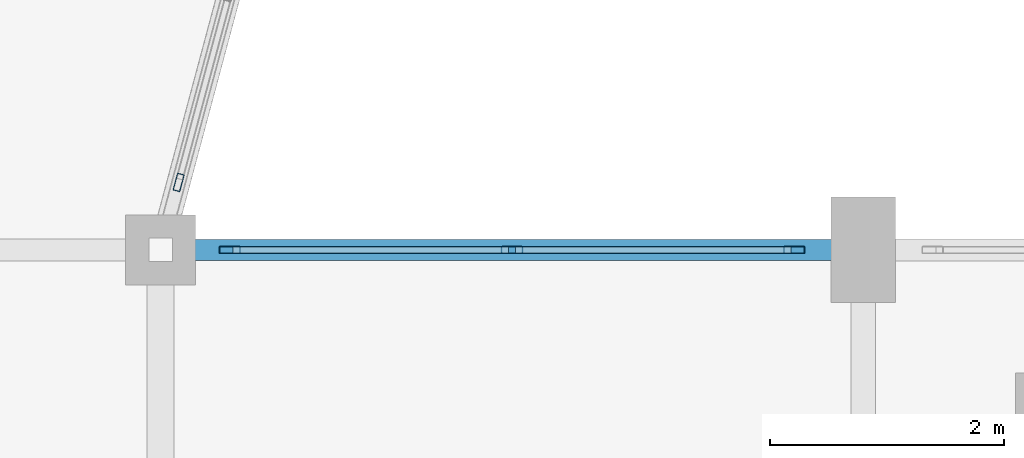
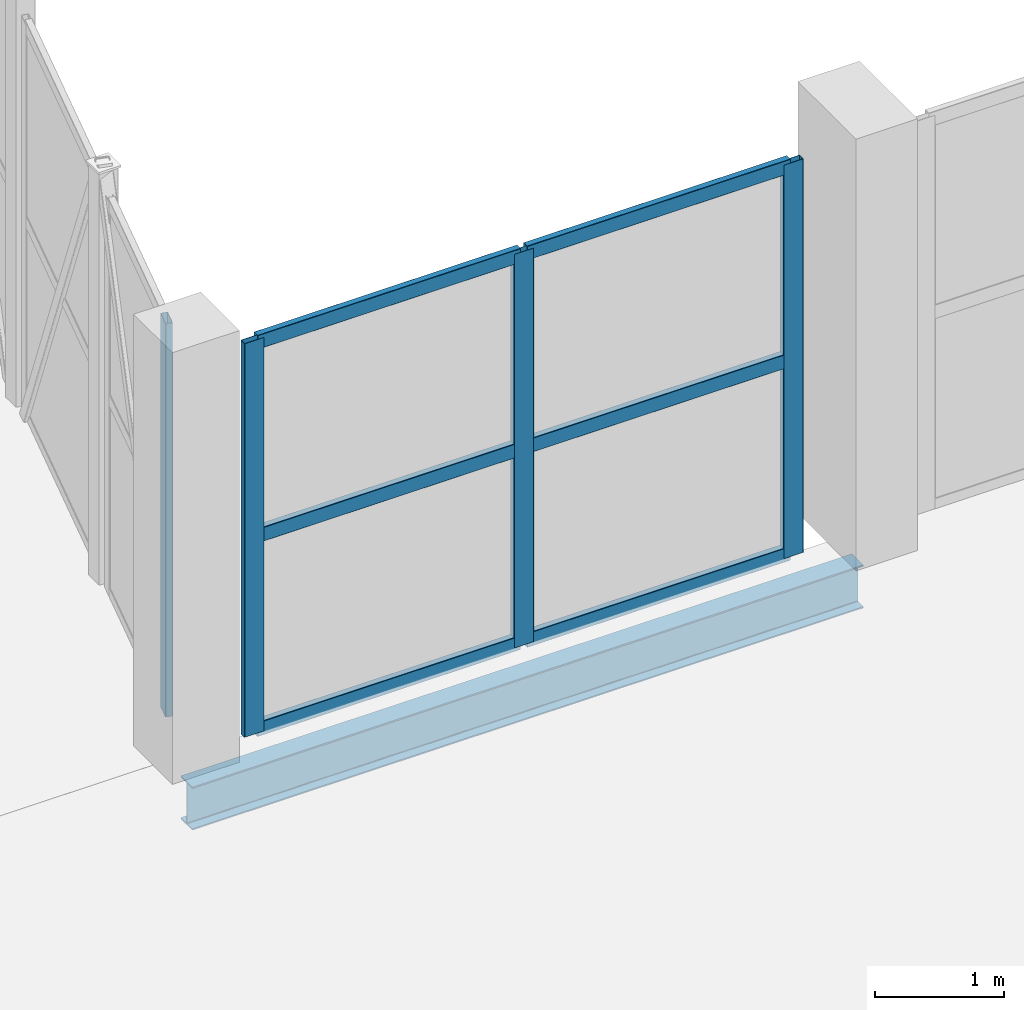
# One storey, part 77 of 127: 10 members, 1 beam, 2 elements without a shape of their own.
"""IFC4 building model written with IfcOpenShell, lengths in metres."""

import ifcopenshell
import ifcopenshell.guid

model = None  # the IFC model being written
_history = None  # IfcOwnerHistory: only IFC2X3 demands one
_inside = {}  # id of a spatial element -> (the spatial element, [elements in it])
_under = {}  # id of a project, library or spatial element -> (it, [spatial elements below it])
_declared = {}  # id of a project -> (the project, [libraries it declares])
_typed = {}  # id of a type object -> (the type object, [elements of that type])
_made_of = {}  # id of a material, layer set ... -> (it, [elements and type objects made of it])


def new_model(schema):
    """Start an empty IFC model of exactly this schema.

    Asked for "IFC4X3", IfcOpenShell would pick the latest addendum, in which some entities
    have other attributes; the version numbers below select the first issue.
    IFC2X3 requires an IfcOwnerHistory on every rooted entity: one is made here for all.
    """
    global model, _history
    if schema == "IFC4X3":
        model = ifcopenshell.file(schema_version=(4, 3, 0, 0))
    else:
        model = ifcopenshell.file(schema=schema)
    _inside.clear()
    _under.clear()
    _declared.clear()
    _typed.clear()
    _made_of.clear()
    _history = None
    if model.schema == "IFC2X3":
        org = make("IfcOrganization", Name="unknown")
        user = make(
            "IfcPersonAndOrganization",
            ThePerson=make("IfcPerson", FamilyName="unknown"),
            TheOrganization=org,
        )
        app = make(
            "IfcApplication",
            ApplicationDeveloper=org,
            Version="unknown",
            ApplicationFullName="unknown",
            ApplicationIdentifier="unknown",
        )
        _history = make(
            "IfcOwnerHistory",
            OwningUser=user,
            OwningApplication=app,
            ChangeAction="ADDED",
            CreationDate=0,
        )
    return model


def make(cls, **values):
    """One entity of the class cls with the attributes given. An attribute that is None is left unset."""
    return model.create_entity(
        cls, **{name: value for name, value in values.items() if value is not None}
    )


def rooted(cls, **values):
    """An entity with a GlobalId (a new one), such as an element, a storey or a relation."""
    return make(cls, GlobalId=ifcopenshell.guid.new(), OwnerHistory=_history, **values)


def si_unit(unit_type, name, prefix=None):
    """IfcSIUnit, for example si_unit("LENGTHUNIT", "METRE", prefix="MILLI")."""
    return make("IfcSIUnit", UnitType=unit_type, Prefix=prefix, Name=name)


def assignment(units):
    """IfcUnitAssignment: the units of a project."""
    return None if units is None else make("IfcUnitAssignment", Units=units)


def point(xyz):
    """IfcCartesianPoint."""
    return None if xyz is None else make("IfcCartesianPoint", Coordinates=xyz)


def direction(xyz):
    """IfcDirection."""
    return None if xyz is None else make("IfcDirection", DirectionRatios=xyz)


def frame(location, z_axis=None, x_axis=None):
    """IfcAxis2Placement3D, a coordinate frame: its origin and axes. An axis left out is left unset."""
    return make(
        "IfcAxis2Placement3D",
        Location=point(location),
        Axis=direction(z_axis),
        RefDirection=direction(x_axis),
    )


def frame_2d(location, x_axis=None):
    """IfcAxis2Placement2D, a coordinate frame in the plane: its origin and x axis."""
    return make(
        "IfcAxis2Placement2D", Location=point(location), RefDirection=direction(x_axis)
    )


def origin():
    """The frame at (0, 0, 0) with its axes left unset."""
    return frame((0.0, 0.0, 0.0))


def origin_2d():
    """The frame at (0, 0) in the plane with its x axis left unset."""
    return frame_2d((0.0, 0.0))


def place(relative_to, where):
    """IfcLocalPlacement: puts the frame where relative to a parent placement (None: the world)."""
    return make(
        "IfcLocalPlacement", PlacementRelTo=relative_to, RelativePlacement=where
    )


def context(
    kind, dimensions, precision=None, world=None, true_north=None, identifier=None
):
    """IfcGeometricRepresentationContext, for example the 3D "Model" context."""
    return make(
        "IfcGeometricRepresentationContext",
        ContextIdentifier=identifier,
        ContextType=kind,
        CoordinateSpaceDimension=dimensions,
        Precision=precision,
        WorldCoordinateSystem=world,
        TrueNorth=true_north,
    )


def subcontext(parent, identifier, kind, view, scale=None):
    """IfcGeometricRepresentationSubContext, for example "Body" below "Model"."""
    return make(
        "IfcGeometricRepresentationSubContext",
        ContextIdentifier=identifier,
        ContextType=kind,
        ParentContext=parent,
        TargetScale=scale,
        TargetView=view,
    )


def project(units=None, contexts=None):
    """IfcProject with its units and contexts."""
    return rooted(
        "IfcProject",
        Name="project",
        RepresentationContexts=contexts,
        UnitsInContext=assignment(units),
    )


def spatial(cls, under=None, at=None, **own):
    """A site, building, storey or space (cls), placed at a placement, below another one or the project."""
    s = rooted(cls, ObjectPlacement=at, **own)
    if under is not None:
        _under.setdefault(under.id(), (under, []))[1].append(s)
    return s


def profile(cls, at=None, kind="AREA", **sizes):
    """A parametric profile (cls). Its sizes go by their IFC names, for example OverallWidth=200.0."""
    return make(cls, ProfileType=kind, Position=at, **sizes)


def hollow_rectangle(**sizes):
    """IfcRectangleHollowProfileDef."""
    return profile("IfcRectangleHollowProfileDef", **sizes)


def i_section(**sizes):
    """IfcIShapeProfileDef."""
    return profile("IfcIShapeProfileDef", **sizes)


def extrude(swept, where, along, depth):
    """IfcExtrudedAreaSolid: the profile swept, set in the frame where, extruded along a direction by depth."""
    return make(
        "IfcExtrudedAreaSolid",
        SweptArea=swept,
        Position=where,
        ExtrudedDirection=direction(along),
        Depth=depth,
    )


def shape(context_of_items, identifier, shape_type, items):
    """IfcShapeRepresentation: the items that make up one representation, for example the "Body"."""
    return make(
        "IfcShapeRepresentation",
        ContextOfItems=context_of_items,
        RepresentationIdentifier=identifier,
        RepresentationType=shape_type,
        Items=items,
    )


def material(Name=None, Category=None):
    """IfcMaterial."""
    return make("IfcMaterial", Name=Name, Category=Category)


def layer(
    of_material, thickness, ventilated=None, Name=None, Category=None, Priority=None
):
    """IfcMaterialLayer: one layer of a wall or slab, of a material (None: an air gap)."""
    return make(
        "IfcMaterialLayer",
        Material=of_material,
        LayerThickness=thickness,
        IsVentilated=ventilated,
        Name=Name,
        Category=Category,
        Priority=Priority,
    )


def layer_set(layers, Name=None):
    """IfcMaterialLayerSet."""
    return make("IfcMaterialLayerSet", MaterialLayers=layers, LayerSetName=Name)


def material_profile(
    of_material, cross_section, Name=None, Category=None, Priority=None
):
    """IfcMaterialProfile: a cross section and its material."""
    return make(
        "IfcMaterialProfile",
        Name=Name,
        Material=of_material,
        Profile=cross_section,
        Priority=Priority,
        Category=Category,
    )


def profile_set(profiles, Name=None, composite=None):
    """IfcMaterialProfileSet."""
    return make(
        "IfcMaterialProfileSet",
        Name=Name,
        MaterialProfiles=profiles,
        CompositeProfile=composite,
    )


def made_of(thing, what):
    """Note that an element or type object is made of a material, layer set ...; save() writes the relation."""
    if what is not None:
        _made_of.setdefault(what.id(), (what, []))[1].append(thing)
    return thing


def type_object(cls, material=None, **own):
    """A type object (cls), such as IfcWallType, which elements share."""
    return made_of(rooted(cls, **own), material)


def element(
    cls,
    number,
    at=None,
    inside=None,
    cuts=None,
    type_object=None,
    material=None,
    context=None,
    identifier="Body",
    shape_type=None,
    held_by="IfcProductDefinitionShape",
    body=None,
    shapes=None,
    **own,
):
    """One element of the class cls, such as IfcWall. Its Tag is "e" and its number.

    at: its placement. inside: the storey or other place that contains it. cuts: it is an
    opening in that element (IfcRelVoidsElement). A single representation is given by context,
    identifier, shape_type and body (its items); several are given by shapes. held_by: the class
    of the entity that holds the representations. save() writes the other relations.
    """
    e = rooted(cls, Tag="e%d" % number, ObjectPlacement=at, **own)
    if body is not None:
        shapes = [shape(context, identifier, shape_type, body)]
    if shapes is not None:
        e.Representation = make(held_by, Representations=shapes)
    if inside is not None:
        _inside.setdefault(inside.id(), (inside, []))[1].append(e)
    if cuts is not None:
        rooted(
            "IfcRelVoidsElement", RelatingBuildingElement=cuts, RelatedOpeningElement=e
        )
    if type_object is not None:
        _typed.setdefault(type_object.id(), (type_object, []))[1].append(e)
    return made_of(e, material)


def aggregate(whole, parts):
    """IfcRelAggregates: a whole, such as a stair, and the parts it consists of."""
    return rooted("IfcRelAggregates", RelatingObject=whole, RelatedObjects=parts)


def save(model, path):
    """Write the relations noted so far, then the file.

    IfcRelAggregates (storeys below a building ...), IfcRelContainedInSpatialStructure (elements
    in a storey), IfcRelDefinesByType, IfcRelAssociatesMaterial and IfcRelDeclares: one each for
    every whole, place, type object, material and project.
    """
    for whole, parts in _under.values():
        aggregate(whole, parts)
    for where, things in _inside.values():
        rooted(
            "IfcRelContainedInSpatialStructure",
            RelatedElements=things,
            RelatingStructure=where,
        )
    for kind, things in _typed.values():
        rooted("IfcRelDefinesByType", RelatedObjects=things, RelatingType=kind)
    for what, things in _made_of.values():
        rooted("IfcRelAssociatesMaterial", RelatedObjects=things, RelatingMaterial=what)
    for by, libraries in _declared.values():
        rooted("IfcRelDeclares", RelatingContext=by, RelatedDefinitions=libraries)
    model.write(path)


model = new_model("IFC4")

# Units and contexts
model_context = context("Model", 3, precision=1e-05, world=origin(), true_north=direction((0.0, 1.0)))
body_context = subcontext(model_context, "Body", "Model", "MODEL_VIEW")
ifc_project = project(units=[si_unit("LENGTHUNIT", "METRE"), si_unit("AREAUNIT", "SQUARE_METRE"), si_unit("VOLUMEUNIT", "CUBIC_METRE"), si_unit("PLANEANGLEUNIT", "RADIAN"), si_unit("MASSUNIT", "GRAM", prefix="KILO")], contexts=[model_context])

# Site, building, storey
site_placement = place(None, origin())
site = spatial("IfcSite", under=ifc_project, at=site_placement, CompositionType="ELEMENT")
building_placement = place(site_placement, origin())
building = spatial("IfcBuilding", under=site, at=building_placement, Name="Dunvalen Ferry Terminal", CompositionType="ELEMENT")
storey_placement = place(building_placement, frame((0.0, 0.0, 5.760009765625)))
storey = spatial("IfcBuildingStorey", under=building, at=storey_placement, Name="L01", CompositionType="ELEMENT", Elevation=5.760009765625)

# Curtain wall, members
ifc_material_1 = material(Name="Anodised marine aluminium and solar-control glazing", Category="aluminium")
ifc_layer_1 = layer(ifc_material_1, 0.219970703125, Name="Anodised marine aluminium and solar-control glazing")
ifc_layer_set_1 = layer_set([ifc_layer_1], Name="Anodised marine aluminium and solar-control glazing")
curtain_wall_type_1 = type_object("IfcCurtainWallType", Name="ENV-CW-SYS-02", PredefinedType="NOTDEFINED", material=ifc_layer_set_1)
curtain_wall_1_placement = place(storey_placement, origin())
curtain_wall_1 = element("IfcCurtainWall", 1, at=curtain_wall_1_placement, inside=storey, type_object=curtain_wall_type_1, Name="L01 Curtain Wall CW-V2N-L01-06", PredefinedType="NOTDEFINED")
ifc_material_2 = material(Name="Anodised marine aluminium EN AW-6063 T6", Category="aluminium")
ifc_material_profile_1 = material_profile(ifc_material_2, hollow_rectangle(XDim=0.06005859375, YDim=0.179931640625, WallThickness=0.00341796875, InnerFilletRadius=0.00341796875, OuterFilletRadius=0.007080078125, at=origin_2d()), Name="Anodised marine aluminium EN AW-6063 T6")
ifc_profile_set_1 = profile_set([ifc_material_profile_1], Name="Anodised marine aluminium EN AW-6063 T6")
member_type_1 = type_object("IfcMemberType", Name="ENV-CW-MUL-2", PredefinedType="MULLION", material=ifc_profile_set_1)
member_1_placement = place(storey_placement, frame((138.590087890625, 86.39990234375, 0.0), z_axis=(0.0, 0.0, 1.0), x_axis=(0.0, 1.0, 0.0)))
member_1 = element("IfcMember", 2, at=member_1_placement, type_object=member_type_1, Name="CW-02 mullion 1", PredefinedType="MULLION", context=body_context, shape_type="SweptSolid", body=[
    extrude(hollow_rectangle(XDim=0.06005859375, YDim=0.179931640625, WallThickness=0.00341796875, InnerFilletRadius=0.00341796875, OuterFilletRadius=0.007080078125, at=origin_2d()), origin(), (0.0, 0.0, 1.0), 3.719970703125),
])
member_2_placement = place(storey_placement, frame((141.0, 86.39990234375, 0.0), z_axis=(0.0, 0.0, 1.0), x_axis=(0.0, 1.0, 0.0)))
member_2 = element("IfcMember", 3, at=member_2_placement, type_object=member_type_1, Name="CW-02 mullion 2", PredefinedType="MULLION", context=body_context, shape_type="SweptSolid", body=[
    extrude(hollow_rectangle(XDim=0.06005859375, YDim=0.179931640625, WallThickness=0.00341796875, InnerFilletRadius=0.00341796875, OuterFilletRadius=0.007080078125, at=origin_2d()), origin(), (0.0, 0.0, 1.0), 3.719970703125),
])
member_3_placement = place(storey_placement, frame((143.409912109375, 86.39990234375, 0.0), z_axis=(0.0, 0.0, 1.0), x_axis=(0.0, 1.0, 0.0)))
member_3 = element("IfcMember", 4, at=member_3_placement, type_object=member_type_1, Name="CW-02 mullion 3", PredefinedType="MULLION", context=body_context, shape_type="SweptSolid", body=[
    extrude(hollow_rectangle(XDim=0.06005859375, YDim=0.179931640625, WallThickness=0.00341796875, InnerFilletRadius=0.00341796875, OuterFilletRadius=0.007080078125, at=origin_2d()), origin(), (0.0, 0.0, 1.0), 3.719970703125),
])

# Curtain wall, member
ifc_layer_2 = layer(ifc_material_1, 0.159912109375, Name="Anodised marine aluminium and solar-control glazing")
ifc_layer_set_2 = layer_set([ifc_layer_2], Name="Anodised marine aluminium and solar-control glazing")
curtain_wall_type_2 = type_object("IfcCurtainWallType", Name="ENV-CW-SYS-07", PredefinedType="NOTDEFINED", material=ifc_layer_set_2)
curtain_wall_2_placement = place(storey_placement, origin())
curtain_wall_2 = element("IfcCurtainWall", 5, at=curtain_wall_2_placement, inside=storey, type_object=curtain_wall_type_2, Name="L01 Curtain Wall CW-BRG2-S2-1", PredefinedType="NOTDEFINED")
ifc_material_profile_2 = material_profile(ifc_material_2, hollow_rectangle(XDim=0.06005859375, YDim=0.14990234375, WallThickness=0.00341796875, InnerFilletRadius=0.00341796875, OuterFilletRadius=0.007080078125, at=origin_2d()), Name="Anodised marine aluminium EN AW-6063 T6")
ifc_profile_set_2 = profile_set([ifc_material_profile_2], Name="Anodised marine aluminium EN AW-6063 T6")
member_type_2 = type_object("IfcMemberType", Name="ENV-CW-MUL-3", PredefinedType="MULLION", material=ifc_profile_set_2)
member_4_placement = place(storey_placement, frame((138.154296875, 86.97607421875, 0.0), z_axis=(0.0, 0.0, 1.0), x_axis=(-0.965919306501, 0.258843376057, 0.0)))
member_4 = element("IfcMember", 6, at=member_4_placement, type_object=member_type_2, Name="CW-07 mullion 1", PredefinedType="MULLION", context=body_context, shape_type="SweptSolid", body=[
    extrude(hollow_rectangle(XDim=0.06005859375, YDim=0.14990234375, WallThickness=0.00341796875, InnerFilletRadius=0.00341796875, OuterFilletRadius=0.007080078125, at=origin_2d()), origin(), (0.0, 0.0, 1.0), 3.719970703125),
])
aggregate(curtain_wall_2, [member_4])

# Member
ifc_material_profile_3 = material_profile(ifc_material_2, hollow_rectangle(XDim=0.06005859375, YDim=0.135009765625, WallThickness=0.003173828125, InnerFilletRadius=0.003173828125, OuterFilletRadius=0.00634765625, at=origin_2d()), Name="Anodised marine aluminium EN AW-6063 T6")
ifc_profile_set_3 = profile_set([ifc_material_profile_3], Name="Anodised marine aluminium EN AW-6063 T6")
member_type_3 = type_object("IfcMemberType", Name="ENV-CW-TRN-2", PredefinedType="USERDEFINED", material=ifc_profile_set_3)
member_5_placement = place(storey_placement, frame((138.6201171875, 86.39990234375, 0.030029296875), z_axis=(1.0, 0.0, 0.0), x_axis=(0.0, 1.0, 0.0)))
member_5 = element("IfcMember", 7, at=member_5_placement, type_object=member_type_3, Name="CW-02 transom 1.1", ObjectType="TRANSOM", PredefinedType="USERDEFINED", context=body_context, shape_type="SweptSolid", body=[
    extrude(hollow_rectangle(XDim=0.06005859375, YDim=0.135009765625, WallThickness=0.003173828125, InnerFilletRadius=0.003173828125, OuterFilletRadius=0.00634765625, at=origin_2d()), origin(), (0.0, 0.0, 1.0), 2.349853515625),
])

member_6_placement = place(storey_placement, frame((138.6201171875, 86.39990234375, 1.860107421875), z_axis=(1.0, 0.0, 0.0), x_axis=(0.0, 1.0, 0.0)))
member_6 = element("IfcMember", 8, at=member_6_placement, type_object=member_type_3, Name="CW-02 transom 1.2", ObjectType="TRANSOM", PredefinedType="USERDEFINED", context=body_context, shape_type="SweptSolid", body=[
    extrude(hollow_rectangle(XDim=0.06005859375, YDim=0.135009765625, WallThickness=0.003173828125, InnerFilletRadius=0.003173828125, OuterFilletRadius=0.00634765625, at=origin_2d()), origin(), (0.0, 0.0, 1.0), 2.349853515625),
])

member_7_placement = place(storey_placement, frame((138.6201171875, 86.39990234375, 3.68994140625), z_axis=(1.0, 0.0, 0.0), x_axis=(0.0, 1.0, 0.0)))
member_7 = element("IfcMember", 9, at=member_7_placement, type_object=member_type_3, Name="CW-02 transom 1.3", ObjectType="TRANSOM", PredefinedType="USERDEFINED", context=body_context, shape_type="SweptSolid", body=[
    extrude(hollow_rectangle(XDim=0.06005859375, YDim=0.135009765625, WallThickness=0.003173828125, InnerFilletRadius=0.003173828125, OuterFilletRadius=0.00634765625, at=origin_2d()), origin(), (0.0, 0.0, 1.0), 2.349853515625),
])

member_8_placement = place(storey_placement, frame((141.030029296875, 86.39990234375, 0.030029296875), z_axis=(1.0, 0.0, 0.0), x_axis=(0.0, 1.0, 0.0)))
member_8 = element("IfcMember", 10, at=member_8_placement, type_object=member_type_3, Name="CW-02 transom 2.1", ObjectType="TRANSOM", PredefinedType="USERDEFINED", context=body_context, shape_type="SweptSolid", body=[
    extrude(hollow_rectangle(XDim=0.06005859375, YDim=0.135009765625, WallThickness=0.003173828125, InnerFilletRadius=0.003173828125, OuterFilletRadius=0.00634765625, at=origin_2d()), origin(), (0.0, 0.0, 1.0), 2.349853515625),
])

member_9_placement = place(storey_placement, frame((141.030029296875, 86.39990234375, 1.860107421875), z_axis=(1.0, 0.0, 0.0), x_axis=(0.0, 1.0, 0.0)))
member_9 = element("IfcMember", 11, at=member_9_placement, type_object=member_type_3, Name="CW-02 transom 2.2", ObjectType="TRANSOM", PredefinedType="USERDEFINED", context=body_context, shape_type="SweptSolid", body=[
    extrude(hollow_rectangle(XDim=0.06005859375, YDim=0.135009765625, WallThickness=0.003173828125, InnerFilletRadius=0.003173828125, OuterFilletRadius=0.00634765625, at=origin_2d()), origin(), (0.0, 0.0, 1.0), 2.349853515625),
])

member_10_placement = place(storey_placement, frame((141.030029296875, 86.39990234375, 3.68994140625), z_axis=(1.0, 0.0, 0.0), x_axis=(0.0, 1.0, 0.0)))
member_10 = element("IfcMember", 12, at=member_10_placement, type_object=member_type_3, Name="CW-02 transom 2.3", ObjectType="TRANSOM", PredefinedType="USERDEFINED", context=body_context, shape_type="SweptSolid", body=[
    extrude(hollow_rectangle(XDim=0.06005859375, YDim=0.135009765625, WallThickness=0.003173828125, InnerFilletRadius=0.003173828125, OuterFilletRadius=0.00634765625, at=origin_2d()), origin(), (0.0, 0.0, 1.0), 2.349853515625),
])

aggregate(curtain_wall_1, [member_1, member_2, member_3, member_5, member_6, member_7, member_8, member_9, member_10])

# Beam
ifc_material_3 = material(Name="Steel S355", Category="steel")
ifc_material_profile_4 = material_profile(ifc_material_3, i_section(OverallWidth=0.177978515625, OverallDepth=0.406494140625, WebThickness=0.0078125, FlangeThickness=0.0126953125, FilletRadius=0.01025390625, at=origin_2d()), Name="Steel S355")
ifc_profile_set_4 = profile_set([ifc_material_profile_4], Name="Steel S355")
beam_type = type_object("IfcBeamType", Name="STR-BM-UKB406", PredefinedType="JOIST", material=ifc_profile_set_4)
beam_placement = place(storey_placement, frame((138.0, 86.39990234375, -0.463134765625), z_axis=(1.0, 0.0, 0.0), x_axis=(0.0, 1.0, 0.0)))
element("IfcBeam", 13, at=beam_placement, inside=storey, type_object=beam_type, Name="L01 V2M Primary Beam X-039", PredefinedType="JOIST", context=body_context, shape_type="SweptSolid", body=[
    extrude(i_section(OverallWidth=0.177978515625, OverallDepth=0.406494140625, WebThickness=0.0078125, FlangeThickness=0.0126953125, FilletRadius=0.01025390625, at=origin_2d()), origin(), (0.0, 0.0, 1.0), 6.0),
])

save(model, "model.ifc")
